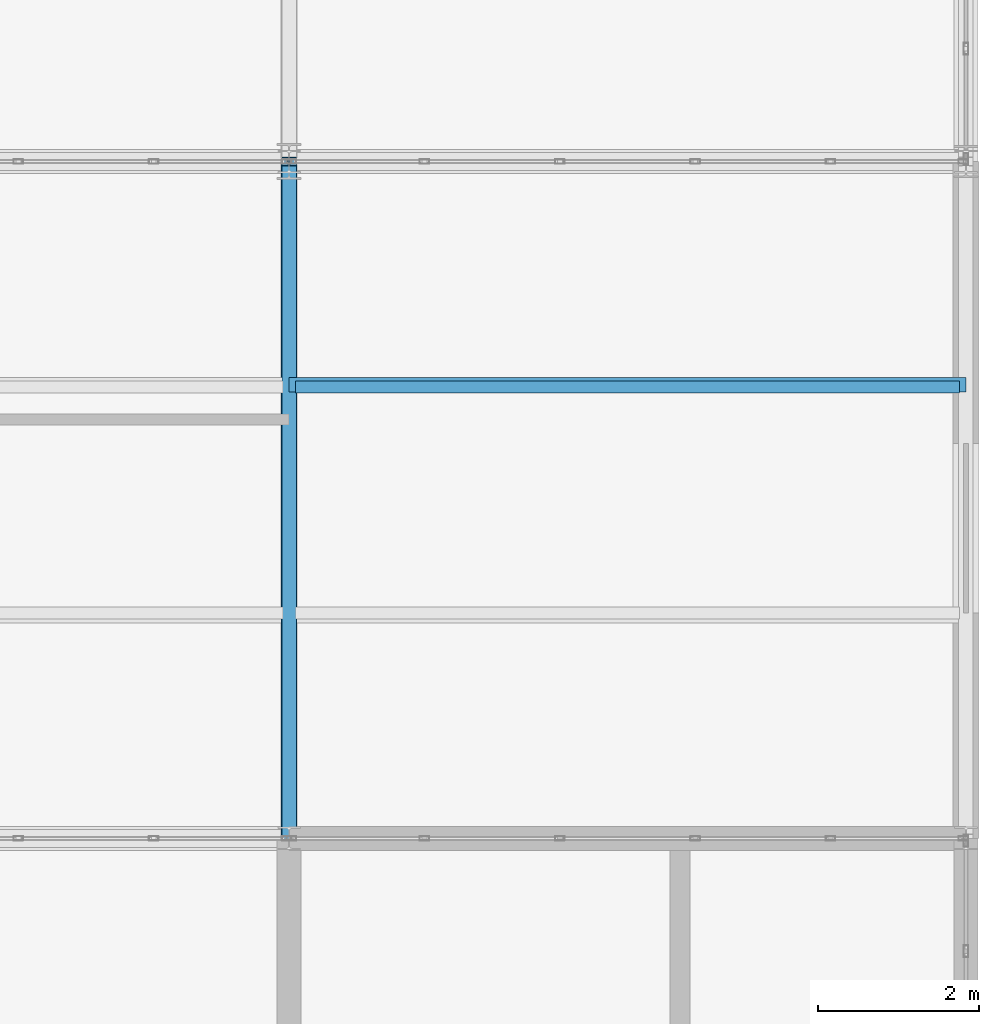
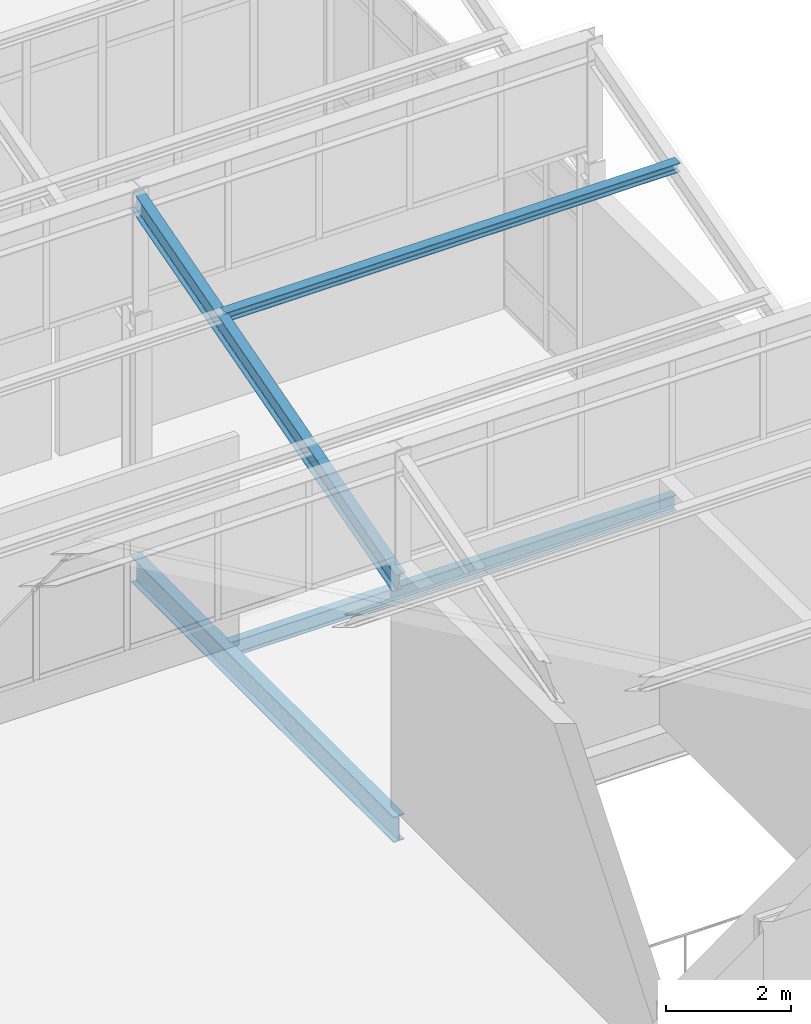
# One storey, part 35 of 53: 3 beams, 1 member.
"""IFC4 building model written with IfcOpenShell, lengths in metres."""

import ifcopenshell
import ifcopenshell.guid

model = None  # the IFC model being written
_history = None  # IfcOwnerHistory: only IFC2X3 demands one
_inside = {}  # id of a spatial element -> (the spatial element, [elements in it])
_under = {}  # id of a project, library or spatial element -> (it, [spatial elements below it])
_declared = {}  # id of a project -> (the project, [libraries it declares])
_typed = {}  # id of a type object -> (the type object, [elements of that type])
_made_of = {}  # id of a material, layer set ... -> (it, [elements and type objects made of it])


def new_model(schema):
    """Start an empty IFC model of exactly this schema.

    Asked for "IFC4X3", IfcOpenShell would pick the latest addendum, in which some entities
    have other attributes; the version numbers below select the first issue.
    IFC2X3 requires an IfcOwnerHistory on every rooted entity: one is made here for all.
    """
    global model, _history
    if schema == "IFC4X3":
        model = ifcopenshell.file(schema_version=(4, 3, 0, 0))
    else:
        model = ifcopenshell.file(schema=schema)
    _inside.clear()
    _under.clear()
    _declared.clear()
    _typed.clear()
    _made_of.clear()
    _history = None
    if model.schema == "IFC2X3":
        org = make("IfcOrganization", Name="unknown")
        user = make(
            "IfcPersonAndOrganization",
            ThePerson=make("IfcPerson", FamilyName="unknown"),
            TheOrganization=org,
        )
        app = make(
            "IfcApplication",
            ApplicationDeveloper=org,
            Version="unknown",
            ApplicationFullName="unknown",
            ApplicationIdentifier="unknown",
        )
        _history = make(
            "IfcOwnerHistory",
            OwningUser=user,
            OwningApplication=app,
            ChangeAction="ADDED",
            CreationDate=0,
        )
    return model


def make(cls, **values):
    """One entity of the class cls with the attributes given. An attribute that is None is left unset."""
    return model.create_entity(
        cls, **{name: value for name, value in values.items() if value is not None}
    )


def rooted(cls, **values):
    """An entity with a GlobalId (a new one), such as an element, a storey or a relation."""
    return make(cls, GlobalId=ifcopenshell.guid.new(), OwnerHistory=_history, **values)


def si_unit(unit_type, name, prefix=None):
    """IfcSIUnit, for example si_unit("LENGTHUNIT", "METRE", prefix="MILLI")."""
    return make("IfcSIUnit", UnitType=unit_type, Prefix=prefix, Name=name)


def assignment(units):
    """IfcUnitAssignment: the units of a project."""
    return None if units is None else make("IfcUnitAssignment", Units=units)


def point(xyz):
    """IfcCartesianPoint."""
    return None if xyz is None else make("IfcCartesianPoint", Coordinates=xyz)


def direction(xyz):
    """IfcDirection."""
    return None if xyz is None else make("IfcDirection", DirectionRatios=xyz)


def frame(location, z_axis=None, x_axis=None):
    """IfcAxis2Placement3D, a coordinate frame: its origin and axes. An axis left out is left unset."""
    return make(
        "IfcAxis2Placement3D",
        Location=point(location),
        Axis=direction(z_axis),
        RefDirection=direction(x_axis),
    )


def frame_2d(location, x_axis=None):
    """IfcAxis2Placement2D, a coordinate frame in the plane: its origin and x axis."""
    return make(
        "IfcAxis2Placement2D", Location=point(location), RefDirection=direction(x_axis)
    )


def origin():
    """The frame at (0, 0, 0) with its axes left unset."""
    return frame((0.0, 0.0, 0.0))


def origin_2d():
    """The frame at (0, 0) in the plane with its x axis left unset."""
    return frame_2d((0.0, 0.0))


def place(relative_to, where):
    """IfcLocalPlacement: puts the frame where relative to a parent placement (None: the world)."""
    return make(
        "IfcLocalPlacement", PlacementRelTo=relative_to, RelativePlacement=where
    )


def context(
    kind, dimensions, precision=None, world=None, true_north=None, identifier=None
):
    """IfcGeometricRepresentationContext, for example the 3D "Model" context."""
    return make(
        "IfcGeometricRepresentationContext",
        ContextIdentifier=identifier,
        ContextType=kind,
        CoordinateSpaceDimension=dimensions,
        Precision=precision,
        WorldCoordinateSystem=world,
        TrueNorth=true_north,
    )


def subcontext(parent, identifier, kind, view, scale=None):
    """IfcGeometricRepresentationSubContext, for example "Body" below "Model"."""
    return make(
        "IfcGeometricRepresentationSubContext",
        ContextIdentifier=identifier,
        ContextType=kind,
        ParentContext=parent,
        TargetScale=scale,
        TargetView=view,
    )


def project(units=None, contexts=None):
    """IfcProject with its units and contexts."""
    return rooted(
        "IfcProject",
        Name="project",
        RepresentationContexts=contexts,
        UnitsInContext=assignment(units),
    )


def spatial(cls, under=None, at=None, **own):
    """A site, building, storey or space (cls), placed at a placement, below another one or the project."""
    s = rooted(cls, ObjectPlacement=at, **own)
    if under is not None:
        _under.setdefault(under.id(), (under, []))[1].append(s)
    return s


def profile(cls, at=None, kind="AREA", **sizes):
    """A parametric profile (cls). Its sizes go by their IFC names, for example OverallWidth=200.0."""
    return make(cls, ProfileType=kind, Position=at, **sizes)


def i_section(**sizes):
    """IfcIShapeProfileDef."""
    return profile("IfcIShapeProfileDef", **sizes)


def extrude(swept, where, along, depth):
    """IfcExtrudedAreaSolid: the profile swept, set in the frame where, extruded along a direction by depth."""
    return make(
        "IfcExtrudedAreaSolid",
        SweptArea=swept,
        Position=where,
        ExtrudedDirection=direction(along),
        Depth=depth,
    )


def shape(context_of_items, identifier, shape_type, items):
    """IfcShapeRepresentation: the items that make up one representation, for example the "Body"."""
    return make(
        "IfcShapeRepresentation",
        ContextOfItems=context_of_items,
        RepresentationIdentifier=identifier,
        RepresentationType=shape_type,
        Items=items,
    )


def material(Name=None, Category=None):
    """IfcMaterial."""
    return make("IfcMaterial", Name=Name, Category=Category)


def material_profile(
    of_material, cross_section, Name=None, Category=None, Priority=None
):
    """IfcMaterialProfile: a cross section and its material."""
    return make(
        "IfcMaterialProfile",
        Name=Name,
        Material=of_material,
        Profile=cross_section,
        Priority=Priority,
        Category=Category,
    )


def profile_set(profiles, Name=None, composite=None):
    """IfcMaterialProfileSet."""
    return make(
        "IfcMaterialProfileSet",
        Name=Name,
        MaterialProfiles=profiles,
        CompositeProfile=composite,
    )


def made_of(thing, what):
    """Note that an element or type object is made of a material, layer set ...; save() writes the relation."""
    if what is not None:
        _made_of.setdefault(what.id(), (what, []))[1].append(thing)
    return thing


def type_object(cls, material=None, **own):
    """A type object (cls), such as IfcWallType, which elements share."""
    return made_of(rooted(cls, **own), material)


def element(
    cls,
    number,
    at=None,
    inside=None,
    cuts=None,
    type_object=None,
    material=None,
    context=None,
    identifier="Body",
    shape_type=None,
    held_by="IfcProductDefinitionShape",
    body=None,
    shapes=None,
    **own,
):
    """One element of the class cls, such as IfcWall. Its Tag is "e" and its number.

    at: its placement. inside: the storey or other place that contains it. cuts: it is an
    opening in that element (IfcRelVoidsElement). A single representation is given by context,
    identifier, shape_type and body (its items); several are given by shapes. held_by: the class
    of the entity that holds the representations. save() writes the other relations.
    """
    e = rooted(cls, Tag="e%d" % number, ObjectPlacement=at, **own)
    if body is not None:
        shapes = [shape(context, identifier, shape_type, body)]
    if shapes is not None:
        e.Representation = make(held_by, Representations=shapes)
    if inside is not None:
        _inside.setdefault(inside.id(), (inside, []))[1].append(e)
    if cuts is not None:
        rooted(
            "IfcRelVoidsElement", RelatingBuildingElement=cuts, RelatedOpeningElement=e
        )
    if type_object is not None:
        _typed.setdefault(type_object.id(), (type_object, []))[1].append(e)
    return made_of(e, material)


def aggregate(whole, parts):
    """IfcRelAggregates: a whole, such as a stair, and the parts it consists of."""
    return rooted("IfcRelAggregates", RelatingObject=whole, RelatedObjects=parts)


def save(model, path):
    """Write the relations noted so far, then the file.

    IfcRelAggregates (storeys below a building ...), IfcRelContainedInSpatialStructure (elements
    in a storey), IfcRelDefinesByType, IfcRelAssociatesMaterial and IfcRelDeclares: one each for
    every whole, place, type object, material and project.
    """
    for whole, parts in _under.values():
        aggregate(whole, parts)
    for where, things in _inside.values():
        rooted(
            "IfcRelContainedInSpatialStructure",
            RelatedElements=things,
            RelatingStructure=where,
        )
    for kind, things in _typed.values():
        rooted("IfcRelDefinesByType", RelatedObjects=things, RelatingType=kind)
    for what, things in _made_of.values():
        rooted("IfcRelAssociatesMaterial", RelatedObjects=things, RelatingMaterial=what)
    for by, libraries in _declared.values():
        rooted("IfcRelDeclares", RelatingContext=by, RelatedDefinitions=libraries)
    model.write(path)


model = new_model("IFC4")

# Units and contexts
model_context = context("Model", 3, precision=1e-05, world=origin(), true_north=direction((0.0, 1.0)))
body_context = subcontext(model_context, "Body", "Model", "MODEL_VIEW")
ifc_project = project(units=[si_unit("LENGTHUNIT", "METRE"), si_unit("AREAUNIT", "SQUARE_METRE"), si_unit("VOLUMEUNIT", "CUBIC_METRE"), si_unit("PLANEANGLEUNIT", "RADIAN"), si_unit("MASSUNIT", "GRAM", prefix="KILO")], contexts=[model_context])

# Site, building, storey
site_placement = place(None, origin())
site = spatial("IfcSite", under=ifc_project, at=site_placement, CompositionType="ELEMENT")
building_placement = place(site_placement, origin())
building = spatial("IfcBuilding", under=site, at=building_placement, Name="Qalvenar Corner Mobility Hub", CompositionType="ELEMENT")
storey_placement = place(building_placement, frame((0.0, 0.0, 26.39990234375)))
storey = spatial("IfcBuildingStorey", under=building, at=storey_placement, Name="L06", CompositionType="ELEMENT", Elevation=26.39990234375)

# Beams
ifc_material = material(Name="Steel S355", Category="steel")
ifc_material_profile_1 = material_profile(ifc_material, i_section(OverallWidth=0.179931640625, OverallDepth=0.39990234375, WebThickness=0.008544921875, FlangeThickness=0.013427734375, FilletRadius=0.02099609375, at=origin_2d()), Name="IPE400")
ifc_profile_set_1 = profile_set([ifc_material_profile_1], Name="Steel S355")
beam_type_1 = type_object("IfcBeamType", Name="BM-IPE400", PredefinedType="BEAM", material=ifc_profile_set_1)
beam_1_placement = place(storey_placement, frame((33.60009765625, 16.800048828125, 4.340087890625), z_axis=(0.0, 0.96152605678, 0.274713745804), x_axis=(-1.0, 0.0, 0.0)))
element("IfcBeam", 1, at=beam_1_placement, inside=storey, type_object=beam_type_1, Name="Sawtooth Rafter V3RF-3-5", PredefinedType="BEAM", context=body_context, shape_type="SweptSolid", body=[
    extrude(i_section(OverallWidth=0.179931640625, OverallDepth=0.39990234375, WebThickness=0.008544921875, FlangeThickness=0.013427734375, FilletRadius=0.02099609375, at=origin_2d()), origin(), (0.0, 0.0, 1.0), 8.736083984375),
])
ifc_material_profile_2 = material_profile(ifc_material, i_section(OverallWidth=0.199951171875, OverallDepth=0.5, WebThickness=0.01025390625, FlangeThickness=0.01611328125, FilletRadius=0.02099609375, at=origin_2d()), Name="IPE500")
ifc_profile_set_2 = profile_set([ifc_material_profile_2], Name="Steel S355")
beam_type_2 = type_object("IfcBeamType", Name="BM-IPE500", PredefinedType="BEAM", material=ifc_profile_set_2)
beam_2_placement = place(storey_placement, frame((33.60009765625, 16.800048828125, -0.469970703125), z_axis=(0.0, 1.0, 0.0), x_axis=(-1.0, 0.0, 0.0)))
element("IfcBeam", 2, at=beam_2_placement, inside=storey, type_object=beam_type_2, Name="Primary Steel Girder GY-3095", PredefinedType="BEAM", context=body_context, shape_type="SweptSolid", body=[
    extrude(i_section(OverallWidth=0.199951171875, OverallDepth=0.5, WebThickness=0.01025390625, FlangeThickness=0.01611328125, FilletRadius=0.02099609375, at=origin_2d()), origin(), (0.0, 0.0, 1.0), 8.39990234375),
])
ifc_material_profile_3 = material_profile(ifc_material, i_section(OverallWidth=0.14990234375, OverallDepth=0.300048828125, WebThickness=0.007080078125, FlangeThickness=0.0107421875, FilletRadius=0.014892578125, at=origin_2d()), Name="IPE300")
ifc_profile_set_3 = profile_set([ifc_material_profile_3], Name="Steel S355")
beam_type_3 = type_object("IfcBeamType", Name="BM-JST300", PredefinedType="JOIST", material=ifc_profile_set_3)
beam_3_placement = place(storey_placement, frame((33.677978515625, 22.39990234375, -0.369873046875), z_axis=(1.0, 0.0, 0.0), x_axis=(0.0, 1.0, 0.0)))
element("IfcBeam", 3, at=beam_3_placement, inside=storey, type_object=beam_type_3, Name="Composite Floor Joist J-3135", PredefinedType="JOIST", context=body_context, shape_type="SweptSolid", body=[
    extrude(i_section(OverallWidth=0.14990234375, OverallDepth=0.300048828125, WebThickness=0.007080078125, FlangeThickness=0.0107421875, FilletRadius=0.014892578125, at=origin_2d()), origin(), (0.0, 0.0, 1.0), 8.244140625),
])

# Member
ifc_material_profile_4 = material_profile(ifc_material, i_section(OverallWidth=0.179931640625, OverallDepth=0.179931640625, WebThickness=0.008544921875, FlangeThickness=0.013916015625, FilletRadius=0.014892578125, at=origin_2d()), Name="HEB180")
ifc_profile_set_4 = profile_set([ifc_material_profile_4], Name="Steel S355")
member_type = type_object("IfcMemberType", Name="PR-RHS180", PredefinedType="PURLIN", material=ifc_profile_set_4)
member_placement = place(storey_placement, frame((33.60009765625, 22.427978515625, 6.148193359375), z_axis=(1.0, 0.0, 0.0), x_axis=(0.0, 1.0, 0.0)))
element("IfcMember", 4, at=member_placement, inside=storey, type_object=member_type, Name="Sawtooth Roof Purlin PR-V3-3-5-67", PredefinedType="PURLIN", context=body_context, shape_type="SweptSolid", body=[
    extrude(i_section(OverallWidth=0.179931640625, OverallDepth=0.179931640625, WebThickness=0.008544921875, FlangeThickness=0.013916015625, FilletRadius=0.014892578125, at=origin_2d()), origin(), (0.0, 0.0, 1.0), 8.39990234375),
])

save(model, "model.ifc")
